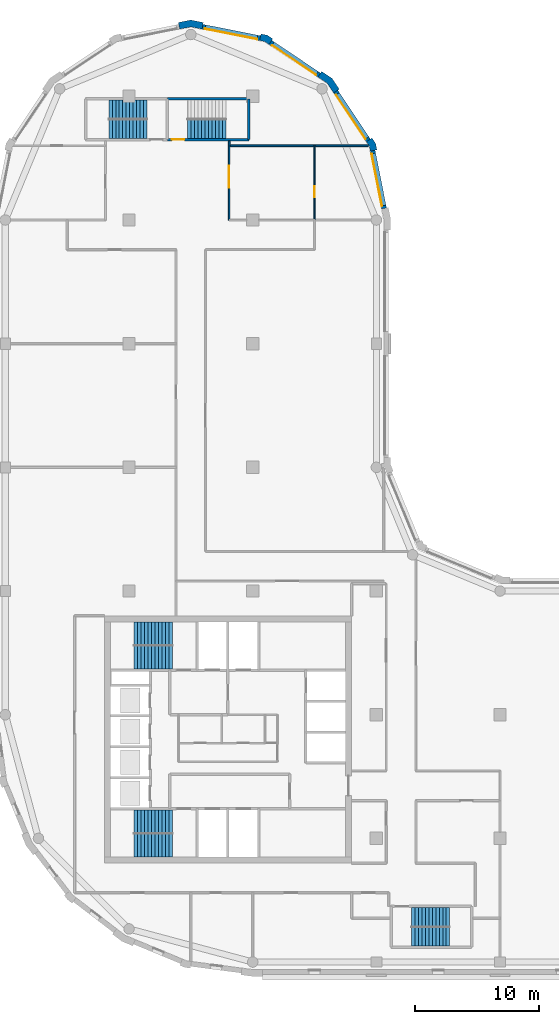
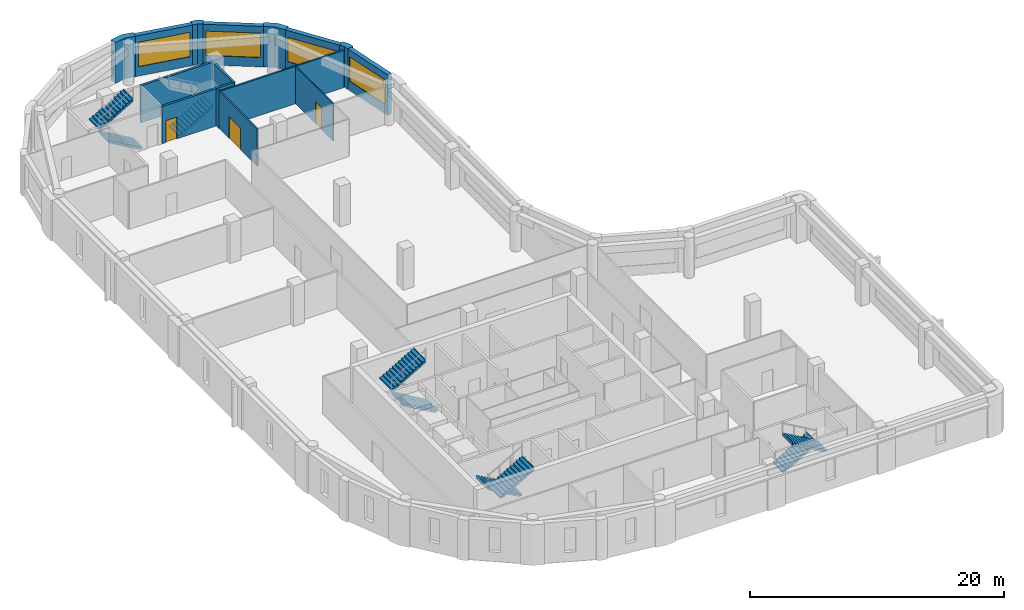
# One storey, part 6 of 9: 15 walls, 9 stair flights, 4 windows, 3 doors, 7 openings, 5 elements without a shape of their own.
"""IFC4 building model written with IfcOpenShell, lengths in metres."""

import ifcopenshell
import ifcopenshell.guid

model = None  # the IFC model being written
_history = None  # IfcOwnerHistory: only IFC2X3 demands one
_inside = {}  # id of a spatial element -> (the spatial element, [elements in it])
_under = {}  # id of a project, library or spatial element -> (it, [spatial elements below it])
_declared = {}  # id of a project -> (the project, [libraries it declares])
_typed = {}  # id of a type object -> (the type object, [elements of that type])
_made_of = {}  # id of a material, layer set ... -> (it, [elements and type objects made of it])


def new_model(schema):
    """Start an empty IFC model of exactly this schema.

    Asked for "IFC4X3", IfcOpenShell would pick the latest addendum, in which some entities
    have other attributes; the version numbers below select the first issue.
    IFC2X3 requires an IfcOwnerHistory on every rooted entity: one is made here for all.
    """
    global model, _history
    if schema == "IFC4X3":
        model = ifcopenshell.file(schema_version=(4, 3, 0, 0))
    else:
        model = ifcopenshell.file(schema=schema)
    _inside.clear()
    _under.clear()
    _declared.clear()
    _typed.clear()
    _made_of.clear()
    _history = None
    if model.schema == "IFC2X3":
        org = make("IfcOrganization", Name="unknown")
        user = make(
            "IfcPersonAndOrganization",
            ThePerson=make("IfcPerson", FamilyName="unknown"),
            TheOrganization=org,
        )
        app = make(
            "IfcApplication",
            ApplicationDeveloper=org,
            Version="unknown",
            ApplicationFullName="unknown",
            ApplicationIdentifier="unknown",
        )
        _history = make(
            "IfcOwnerHistory",
            OwningUser=user,
            OwningApplication=app,
            ChangeAction="ADDED",
            CreationDate=0,
        )
    return model


def make(cls, **values):
    """One entity of the class cls with the attributes given. An attribute that is None is left unset."""
    return model.create_entity(
        cls, **{name: value for name, value in values.items() if value is not None}
    )


def rooted(cls, **values):
    """An entity with a GlobalId (a new one), such as an element, a storey or a relation."""
    return make(cls, GlobalId=ifcopenshell.guid.new(), OwnerHistory=_history, **values)


def si_unit(unit_type, name, prefix=None):
    """IfcSIUnit, for example si_unit("LENGTHUNIT", "METRE", prefix="MILLI")."""
    return make("IfcSIUnit", UnitType=unit_type, Prefix=prefix, Name=name)


def assignment(units):
    """IfcUnitAssignment: the units of a project."""
    return None if units is None else make("IfcUnitAssignment", Units=units)


def point(xyz):
    """IfcCartesianPoint."""
    return None if xyz is None else make("IfcCartesianPoint", Coordinates=xyz)


def direction(xyz):
    """IfcDirection."""
    return None if xyz is None else make("IfcDirection", DirectionRatios=xyz)


def frame(location, z_axis=None, x_axis=None):
    """IfcAxis2Placement3D, a coordinate frame: its origin and axes. An axis left out is left unset."""
    return make(
        "IfcAxis2Placement3D",
        Location=point(location),
        Axis=direction(z_axis),
        RefDirection=direction(x_axis),
    )


def frame_2d(location, x_axis=None):
    """IfcAxis2Placement2D, a coordinate frame in the plane: its origin and x axis."""
    return make(
        "IfcAxis2Placement2D", Location=point(location), RefDirection=direction(x_axis)
    )


def origin():
    """The frame at (0, 0, 0) with its axes left unset."""
    return frame((0.0, 0.0, 0.0))


def place(relative_to, where):
    """IfcLocalPlacement: puts the frame where relative to a parent placement (None: the world)."""
    return make(
        "IfcLocalPlacement", PlacementRelTo=relative_to, RelativePlacement=where
    )


def context(
    kind, dimensions, precision=None, world=None, true_north=None, identifier=None
):
    """IfcGeometricRepresentationContext, for example the 3D "Model" context."""
    return make(
        "IfcGeometricRepresentationContext",
        ContextIdentifier=identifier,
        ContextType=kind,
        CoordinateSpaceDimension=dimensions,
        Precision=precision,
        WorldCoordinateSystem=world,
        TrueNorth=true_north,
    )


def subcontext(parent, identifier, kind, view, scale=None):
    """IfcGeometricRepresentationSubContext, for example "Body" below "Model"."""
    return make(
        "IfcGeometricRepresentationSubContext",
        ContextIdentifier=identifier,
        ContextType=kind,
        ParentContext=parent,
        TargetScale=scale,
        TargetView=view,
    )


def project(units=None, contexts=None):
    """IfcProject with its units and contexts."""
    return rooted(
        "IfcProject",
        Name="project",
        RepresentationContexts=contexts,
        UnitsInContext=assignment(units),
    )


def spatial(cls, under=None, at=None, **own):
    """A site, building, storey or space (cls), placed at a placement, below another one or the project."""
    s = rooted(cls, ObjectPlacement=at, **own)
    if under is not None:
        _under.setdefault(under.id(), (under, []))[1].append(s)
    return s


def polyline(points):
    """IfcPolyline through the points."""
    return make("IfcPolyline", Points=[point(p) for p in points])


def profile(cls, at=None, kind="AREA", **sizes):
    """A parametric profile (cls). Its sizes go by their IFC names, for example OverallWidth=200.0."""
    return make(cls, ProfileType=kind, Position=at, **sizes)


def rectangle(**sizes):
    """IfcRectangleProfileDef."""
    return profile("IfcRectangleProfileDef", **sizes)


def outline(outer, holes=None, kind="AREA"):
    """IfcArbitraryClosedProfileDef: a profile drawn as a closed curve; with holes, ...WithVoids."""
    if holes is None:
        return make("IfcArbitraryClosedProfileDef", ProfileType=kind, OuterCurve=outer)
    return make(
        "IfcArbitraryProfileDefWithVoids",
        ProfileType=kind,
        OuterCurve=outer,
        InnerCurves=holes,
    )


def extrude(swept, where, along, depth):
    """IfcExtrudedAreaSolid: the profile swept, set in the frame where, extruded along a direction by depth."""
    return make(
        "IfcExtrudedAreaSolid",
        SweptArea=swept,
        Position=where,
        ExtrudedDirection=direction(along),
        Depth=depth,
    )


def shape(context_of_items, identifier, shape_type, items):
    """IfcShapeRepresentation: the items that make up one representation, for example the "Body"."""
    return make(
        "IfcShapeRepresentation",
        ContextOfItems=context_of_items,
        RepresentationIdentifier=identifier,
        RepresentationType=shape_type,
        Items=items,
    )


def material(Name=None, Category=None):
    """IfcMaterial."""
    return make("IfcMaterial", Name=Name, Category=Category)


def layer(
    of_material, thickness, ventilated=None, Name=None, Category=None, Priority=None
):
    """IfcMaterialLayer: one layer of a wall or slab, of a material (None: an air gap)."""
    return make(
        "IfcMaterialLayer",
        Material=of_material,
        LayerThickness=thickness,
        IsVentilated=ventilated,
        Name=Name,
        Category=Category,
        Priority=Priority,
    )


def layer_set(layers, Name=None):
    """IfcMaterialLayerSet."""
    return make("IfcMaterialLayerSet", MaterialLayers=layers, LayerSetName=Name)


def made_of(thing, what):
    """Note that an element or type object is made of a material, layer set ...; save() writes the relation."""
    if what is not None:
        _made_of.setdefault(what.id(), (what, []))[1].append(thing)
    return thing


def type_object(cls, material=None, **own):
    """A type object (cls), such as IfcWallType, which elements share."""
    return made_of(rooted(cls, **own), material)


def element(
    cls,
    number,
    at=None,
    inside=None,
    cuts=None,
    type_object=None,
    material=None,
    context=None,
    identifier="Body",
    shape_type=None,
    held_by="IfcProductDefinitionShape",
    body=None,
    shapes=None,
    **own,
):
    """One element of the class cls, such as IfcWall. Its Tag is "e" and its number.

    at: its placement. inside: the storey or other place that contains it. cuts: it is an
    opening in that element (IfcRelVoidsElement). A single representation is given by context,
    identifier, shape_type and body (its items); several are given by shapes. held_by: the class
    of the entity that holds the representations. save() writes the other relations.
    """
    e = rooted(cls, Tag="e%d" % number, ObjectPlacement=at, **own)
    if body is not None:
        shapes = [shape(context, identifier, shape_type, body)]
    if shapes is not None:
        e.Representation = make(held_by, Representations=shapes)
    if inside is not None:
        _inside.setdefault(inside.id(), (inside, []))[1].append(e)
    if cuts is not None:
        rooted(
            "IfcRelVoidsElement", RelatingBuildingElement=cuts, RelatedOpeningElement=e
        )
    if type_object is not None:
        _typed.setdefault(type_object.id(), (type_object, []))[1].append(e)
    return made_of(e, material)


def fill(opening, filler):
    """IfcRelFillsElement: the door or window that sits in an opening."""
    return rooted(
        "IfcRelFillsElement",
        RelatingOpeningElement=opening,
        RelatedBuildingElement=filler,
    )


def aggregate(whole, parts):
    """IfcRelAggregates: a whole, such as a stair, and the parts it consists of."""
    return rooted("IfcRelAggregates", RelatingObject=whole, RelatedObjects=parts)


def save(model, path):
    """Write the relations noted so far, then the file.

    IfcRelAggregates (storeys below a building ...), IfcRelContainedInSpatialStructure (elements
    in a storey), IfcRelDefinesByType, IfcRelAssociatesMaterial and IfcRelDeclares: one each for
    every whole, place, type object, material and project.
    """
    for whole, parts in _under.values():
        aggregate(whole, parts)
    for where, things in _inside.values():
        rooted(
            "IfcRelContainedInSpatialStructure",
            RelatedElements=things,
            RelatingStructure=where,
        )
    for kind, things in _typed.values():
        rooted("IfcRelDefinesByType", RelatedObjects=things, RelatingType=kind)
    for what, things in _made_of.values():
        rooted("IfcRelAssociatesMaterial", RelatedObjects=things, RelatingMaterial=what)
    for by, libraries in _declared.values():
        rooted("IfcRelDeclares", RelatingContext=by, RelatedDefinitions=libraries)
    model.write(path)


model = new_model("IFC4")

# Units and contexts
model_context = context("Model", 3, precision=1e-05, world=origin(), true_north=direction((0.0, 1.0)))
body_context = subcontext(model_context, "Body", "Model", "MODEL_VIEW")
ifc_project = project(units=[si_unit("LENGTHUNIT", "METRE"), si_unit("AREAUNIT", "SQUARE_METRE"), si_unit("VOLUMEUNIT", "CUBIC_METRE"), si_unit("PLANEANGLEUNIT", "RADIAN"), si_unit("MASSUNIT", "GRAM", prefix="KILO")], contexts=[model_context])

# Site, building, storey
site_placement = place(None, origin())
site = spatial("IfcSite", under=ifc_project, at=site_placement, CompositionType="ELEMENT")
building_placement = place(site_placement, origin())
building = spatial("IfcBuilding", under=site, at=building_placement, Name="Qaws Garden Tower", CompositionType="ELEMENT")
storey_placement = place(building_placement, frame((0.0, 0.0, 255.300048828125)))
storey = spatial("IfcBuildingStorey", under=building, at=storey_placement, Name="L61", CompositionType="ELEMENT", Elevation=255.300048828125)

# Wall, opening, window
ifc_material_1 = material(Name="Clay facing brick masonry", Category="masonry")
ifc_layer_1 = layer(ifc_material_1, 0.39990234375)
ifc_layer_set_1 = layer_set([ifc_layer_1], Name="Clay facing brick masonry")
wall_type_1 = type_object("IfcWallType", Name="Brick infill wall 400", PredefinedType="SOLIDWALL", material=ifc_layer_set_1)
wall_1_placement = place(storey_placement, frame((30.628662109375, 60.940673828125, 0.0), z_axis=(0.0, 0.0, 1.0), x_axis=(-0.195098533057, 0.98078364709, 0.0)))
wall_1 = element("IfcWall", 1, at=wall_1_placement, inside=storey, type_object=wall_type_1, Name="E-L61-infill-11", PredefinedType="SOLIDWALL", context=body_context, shape_type="SweptSolid", body=[
    extrude(rectangle(XDim=4.752685546875, YDim=0.39990234375, at=frame_2d((2.37646484375, 0.0))), origin(), (0.0, 0.0, 1.0), 3.89990234375),
])
opening_1_placement = place(wall_1_placement, frame((0.226318359375, 0.0, 0.89990234375)))
opening_1 = element("IfcOpeningElement", 2, at=opening_1_placement, cuts=wall_1, Name="Opening W06", PredefinedType="OPENING", context=body_context, shape_type="SweptSolid", body=[
    extrude(rectangle(XDim=4.300048828125, YDim=2.35009765625, at=frame_2d((2.14990234375, 1.175048828125))), frame((0.0, 0.2099609375, 0.0), z_axis=(0.0, -1.0, 0.0), x_axis=(1.0, 0.0, 0.0)), (0.0, 0.0, 1.0), 0.419921875),
])
ifc_material_2 = material(Name="Aluminium framed window, clear glazing", Category="aluminium")
window_type = type_object("IfcWindowType", Name="Ribbon window 4300 x 2350", PartitioningType="DOUBLE_PANEL_VERTICAL", PredefinedType="WINDOW", material=ifc_material_2)
window_1_placement = place(opening_1_placement, origin())
window_1 = element("IfcWindow", 3, at=window_1_placement, inside=storey, type_object=window_type, Name="E-L61-window-11-0", OverallHeight=2.35009765625, OverallWidth=4.300048828125, PartitioningType="SINGLE_PANEL", PredefinedType="WINDOW", context=body_context, shape_type="SweptSolid", body=[
    extrude(rectangle(XDim=4.300048828125, YDim=2.35009765625, at=frame_2d((2.14990234375, 1.175048828125))), frame((0.0, 0.159912109375, 0.0), z_axis=(0.0, -1.0, 0.0), x_axis=(1.0, 0.0, 0.0)), (0.0, 0.0, 1.0), 0.06005859375),
])
fill(opening_1, window_1)

wall_2_placement = place(storey_placement, frame((29.356689453125, 66.43408203125, 0.0), z_axis=(0.0, 0.0, 1.0), x_axis=(-0.555541552266, 0.831488775454, 0.0)))
wall_2 = element("IfcWall", 4, at=wall_2_placement, inside=storey, type_object=wall_type_1, Name="E-L61-infill-12", PredefinedType="SOLIDWALL", context=body_context, shape_type="SweptSolid", body=[
    extrude(rectangle(XDim=4.752685546875, YDim=0.39990234375, at=frame_2d((2.37646484375, 0.0))), origin(), (0.0, 0.0, 1.0), 3.89990234375),
])
opening_2_placement = place(wall_2_placement, frame((0.226318359375, 0.0, 0.89990234375)))
opening_2 = element("IfcOpeningElement", 5, at=opening_2_placement, cuts=wall_2, Name="Opening W06", PredefinedType="OPENING", context=body_context, shape_type="SweptSolid", body=[
    extrude(rectangle(XDim=4.300048828125, YDim=2.35009765625, at=frame_2d((2.14990234375, 1.175048828125))), frame((0.0, 0.2099609375, 0.0), z_axis=(0.0, -1.0, 0.0), x_axis=(1.0, 0.0, 0.0)), (0.0, 0.0, 1.0), 0.419921875),
])
window_2_placement = place(opening_2_placement, origin())
window_2 = element("IfcWindow", 6, at=window_2_placement, inside=storey, type_object=window_type, Name="E-L61-window-12-0", OverallHeight=2.35009765625, OverallWidth=4.300048828125, PartitioningType="SINGLE_PANEL", PredefinedType="WINDOW", context=body_context, shape_type="SweptSolid", body=[
    extrude(rectangle(XDim=4.300048828125, YDim=2.35009765625, at=frame_2d((2.14990234375, 1.175048828125))), frame((0.0, 0.159912109375, 0.0), z_axis=(0.0, -1.0, 0.0), x_axis=(1.0, 0.0, 0.0)), (0.0, 0.0, 1.0), 0.06005859375),
])
fill(opening_2, window_2)

wall_3_placement = place(storey_placement, frame((25.385986328125, 71.71630859375, 0.0), z_axis=(0.0, 0.0, 1.0), x_axis=(-0.831488775454, 0.555541552266, 0.0)))
wall_3 = element("IfcWall", 7, at=wall_3_placement, inside=storey, type_object=wall_type_1, Name="E-L61-infill-13", PredefinedType="SOLIDWALL", context=body_context, shape_type="SweptSolid", body=[
    extrude(rectangle(XDim=4.752685546875, YDim=0.39990234375, at=frame_2d((2.37646484375, 0.0))), origin(), (0.0, 0.0, 1.0), 3.89990234375),
])
opening_3_placement = place(wall_3_placement, frame((0.226318359375, 0.0, 0.89990234375)))
opening_3 = element("IfcOpeningElement", 8, at=opening_3_placement, cuts=wall_3, Name="Opening W06", PredefinedType="OPENING", context=body_context, shape_type="SweptSolid", body=[
    extrude(rectangle(XDim=4.300048828125, YDim=2.35009765625, at=frame_2d((2.14990234375, 1.175048828125))), frame((0.0, 0.2099609375, 0.0), z_axis=(0.0, -1.0, 0.0), x_axis=(1.0, 0.0, 0.0)), (0.0, 0.0, 1.0), 0.419921875),
])
window_3_placement = place(opening_3_placement, origin())
window_3 = element("IfcWindow", 9, at=window_3_placement, inside=storey, type_object=window_type, Name="E-L61-window-13-0", OverallHeight=2.35009765625, OverallWidth=4.300048828125, PartitioningType="SINGLE_PANEL", PredefinedType="WINDOW", context=body_context, shape_type="SweptSolid", body=[
    extrude(rectangle(XDim=4.300048828125, YDim=2.35009765625, at=frame_2d((2.14990234375, 1.175048828125))), frame((0.0, 0.159912109375, 0.0), z_axis=(0.0, -1.0, 0.0), x_axis=(1.0, 0.0, 0.0)), (0.0, 0.0, 1.0), 0.06005859375),
])
fill(opening_3, window_3)

wall_4_placement = place(storey_placement, frame((20.60205078125, 74.701416015625, 0.0), z_axis=(0.0, 0.0, 1.0), x_axis=(-0.98078364709, 0.195098533057, 0.0)))
wall_4 = element("IfcWall", 10, at=wall_4_placement, inside=storey, type_object=wall_type_1, Name="E-L61-infill-14", PredefinedType="SOLIDWALL", context=body_context, shape_type="SweptSolid", body=[
    extrude(rectangle(XDim=4.752685546875, YDim=0.39990234375, at=frame_2d((2.37646484375, 0.0))), origin(), (0.0, 0.0, 1.0), 3.89990234375),
])
opening_4_placement = place(wall_4_placement, frame((0.226318359375, 0.0, 0.89990234375)))
opening_4 = element("IfcOpeningElement", 11, at=opening_4_placement, cuts=wall_4, Name="Opening W06", PredefinedType="OPENING", context=body_context, shape_type="SweptSolid", body=[
    extrude(rectangle(XDim=4.300048828125, YDim=2.35009765625, at=frame_2d((2.14990234375, 1.175048828125))), frame((0.0, 0.2099609375, 0.0), z_axis=(0.0, -1.0, 0.0), x_axis=(1.0, 0.0, 0.0)), (0.0, 0.0, 1.0), 0.419921875),
])
window_4_placement = place(opening_4_placement, origin())
window_4 = element("IfcWindow", 12, at=window_4_placement, inside=storey, type_object=window_type, Name="E-L61-window-14-0", OverallHeight=2.35009765625, OverallWidth=4.300048828125, PartitioningType="SINGLE_PANEL", PredefinedType="WINDOW", context=body_context, shape_type="SweptSolid", body=[
    extrude(rectangle(XDim=4.300048828125, YDim=2.35009765625, at=frame_2d((2.14990234375, 1.175048828125))), frame((0.0, 0.159912109375, 0.0), z_axis=(0.0, -1.0, 0.0), x_axis=(1.0, 0.0, 0.0)), (0.0, 0.0, 1.0), 0.06005859375),
])
fill(opening_4, window_4)

# Walls
ifc_material_3 = material(Name="Clay facing brick masonry", Category="masonry")
ifc_layer_2 = layer(ifc_material_3, 0.550048828125)
ifc_layer_set_2 = layer_set([ifc_layer_2], Name="Clay facing brick masonry")
wall_type_2 = type_object("IfcWallType", Name="Brick kink pier 550 x 600", PredefinedType="SOLIDWALL", material=ifc_layer_set_2)
placement = place(storey_placement, origin())
element("IfcWall", 13, at=placement, inside=storey, type_object=wall_type_2, Name="E-L61-pier-12", PredefinedType="SOLIDWALL", context=body_context, shape_type="SweptSolid", body=[
    extrude(outline(polyline([(29.8974609375, 65.64111328125), (30.044677734375, 65.67041015625), (29.94140625, 66.18896484375), (29.647705078125, 66.628662109375), (29.52294921875, 66.545166015625), (29.1904296875, 66.322998046875), (29.42333984375, 65.974365234375), (29.505126953125, 65.56298828125), (29.8974609375, 65.64111328125)])), origin(), (0.0, 0.0, 1.0), 3.89990234375),
])
element("IfcWall", 14, at=placement, inside=storey, type_object=wall_type_2, Name="E-L61-pier-14", PredefinedType="SOLIDWALL", context=body_context, shape_type="SweptSolid", body=[
    extrude(outline(polyline([(21.545166015625, 74.52294921875), (21.628662109375, 74.647705078125), (21.18896484375, 74.94140625), (20.67041015625, 75.044677734375), (20.64111328125, 74.8974609375), (20.56298828125, 74.505126953125), (20.974365234375, 74.42333984375), (21.322998046875, 74.1904296875), (21.545166015625, 74.52294921875)])), origin(), (0.0, 0.0, 1.0), 3.89990234375),
])
ifc_material_4 = material(Name="Clay facing brick masonry", Category="masonry")
ifc_layer_3 = layer(ifc_material_4, 0.550048828125)
ifc_layer_set_3 = layer_set([ifc_layer_3], Name="Clay facing brick masonry")
wall_type_3 = type_object("IfcWallType", Name="Brick pier 550 x 1600", PredefinedType="SOLIDWALL", material=ifc_layer_set_3)
element("IfcWall", 15, at=placement, inside=storey, type_object=wall_type_3, Name="E-L61-pier-13", PredefinedType="SOLIDWALL", context=body_context, shape_type="SweptSolid", body=[
    extrude(outline(polyline([(26.882568359375, 70.4970703125), (27.00732421875, 70.580322265625), (26.435791015625, 71.435791015625), (25.580322265625, 72.00732421875), (25.4970703125, 71.882568359375), (25.274658203125, 71.550048828125), (26.0390625, 71.0390625), (26.550048828125, 70.274658203125), (26.882568359375, 70.4970703125)])), origin(), (0.0, 0.0, 1.0), 3.89990234375),
])
element("IfcWall", 16, at=placement, inside=storey, type_object=wall_type_3, Name="E-L61-pier-15", PredefinedType="SOLIDWALL", context=body_context, shape_type="SweptSolid", body=[
    extrude(outline(polyline([(15.979736328125, 75.82470703125), (16.009033203125, 75.971923828125), (15.0, 76.172607421875), (13.990966796875, 75.971923828125), (14.020263671875, 75.82470703125), (14.098388671875, 75.432373046875), (15.0, 75.61181640625), (15.901611328125, 75.432373046875), (15.979736328125, 75.82470703125)])), origin(), (0.0, 0.0, 1.0), 3.89990234375),
])

# Wall, opening, door
ifc_material_5 = material(Name="Concrete C60", Category="concrete")
ifc_layer_4 = layer(ifc_material_5, 0.199951171875)
ifc_layer_set_4 = layer_set([ifc_layer_4], Name="Concrete C60")
wall_type_4 = type_object("IfcWallType", Name="Core shaft wall 200 C60", PredefinedType="SHEAR", material=ifc_layer_set_4)
wall_9_placement = place(storey_placement, frame((13.10009765625, 66.5, 0.0), z_axis=(0.0, 0.0, 1.0), x_axis=(1.0, 0.0, 0.0)))
wall_9 = element("IfcWall", 17, at=wall_9_placement, inside=storey, type_object=wall_type_4, Name="Shaft wall", PredefinedType="SHEAR", context=body_context, shape_type="SweptSolid", body=[
    extrude(rectangle(XDim=6.599853515625, YDim=0.199951171875, at=frame_2d((3.2998046875, 0.0))), origin(), (0.0, 0.0, 1.0), 3.579833984375),
])
opening_5_placement = place(wall_9_placement, frame((0.375, 0.0, 0.0)))
opening_5 = element("IfcOpeningElement", 18, at=opening_5_placement, cuts=wall_9, Name="Opening SD14", PredefinedType="OPENING", context=body_context, shape_type="SweptSolid", body=[
    extrude(rectangle(XDim=1.0, YDim=2.10009765625, at=frame_2d((0.5, 1.050048828125))), frame((0.0, 0.10986328125, 0.0), z_axis=(0.0, -1.0, 0.0), x_axis=(1.0, 0.0, 0.0)), (0.0, 0.0, 1.0), 0.219970703125),
])
ifc_material_6 = material(Name="Steel S235", Category="steel")
door_type_1 = type_object("IfcDoorType", Name="Stair door 1000x2100", OperationType="SINGLE_SWING_RIGHT", PredefinedType="DOOR", material=ifc_material_6)
door_1_placement = place(opening_5_placement, origin())
door_1 = element("IfcDoor", 19, at=door_1_placement, inside=storey, type_object=door_type_1, Name="Stair 7 door", OperationType="SINGLE_SWING_LEFT", OverallHeight=2.10009765625, OverallWidth=1.0, PredefinedType="DOOR", context=body_context, shape_type="SweptSolid", body=[
    extrude(rectangle(XDim=1.0, YDim=2.10009765625, at=frame_2d((0.5, 1.050048828125))), frame((0.0, 0.02490234375, 0.0), z_axis=(0.0, -1.0, 0.0), x_axis=(1.0, 0.0, 0.0)), (0.0, 0.0, 1.0), 0.050048828125),
])
fill(opening_5, door_1)

# Walls
wall_10_placement = place(storey_placement, frame((13.10009765625, 69.800048828125, 0.0), z_axis=(0.0, 0.0, 1.0), x_axis=(1.0, 0.0, 0.0)))
element("IfcWall", 20, at=wall_10_placement, inside=storey, type_object=wall_type_4, Name="Shaft wall", PredefinedType="SHEAR", context=body_context, shape_type="SweptSolid", body=[
    extrude(rectangle(XDim=6.599853515625, YDim=0.199951171875, at=frame_2d((3.2998046875, 0.0))), origin(), (0.0, 0.0, 1.0), 3.579833984375),
])
wall_11_placement = place(storey_placement, frame((19.699951171875, 66.5, 0.0), z_axis=(0.0, 0.0, 1.0), x_axis=(0.0, 1.0, 0.0)))
element("IfcWall", 21, at=wall_11_placement, inside=storey, type_object=wall_type_4, Name="Shaft wall", PredefinedType="SHEAR", context=body_context, shape_type="SweptSolid", body=[
    extrude(rectangle(XDim=3.300048828125, YDim=0.199951171875, at=frame_2d((1.64990234375, 0.0))), origin(), (0.0, 0.0, 1.0), 3.579833984375),
])

# Wall, opening, door
ifc_material_7 = material(Name="Glass and aluminium framing", Category="aluminium")
ifc_layer_5 = layer(ifc_material_7, 0.1201171875)
ifc_layer_set_5 = layer_set([ifc_layer_5], Name="Glass and aluminium framing")
wall_type_5 = type_object("IfcWallType", Name="GLAZED PARTITION 120 EI 30", PredefinedType="PARTITIONING", material=ifc_layer_set_5)
wall_12_placement = place(storey_placement, frame((18.10009765625, 60.0, 0.0), z_axis=(0.0, 0.0, 1.0), x_axis=(0.0, 1.0, 0.0)))
wall_12 = element("IfcWall", 22, at=wall_12_placement, inside=storey, type_object=wall_type_5, Name="O-L61-wall-037", PredefinedType="PARTITIONING", context=body_context, shape_type="SweptSolid", body=[
    extrude(rectangle(XDim=6.0, YDim=0.1201171875, at=frame_2d((3.0, 0.0))), origin(), (0.0, 0.0, 1.0), 3.579833984375),
])
opening_6_placement = place(wall_12_placement, frame((2.60009765625, 0.0, 0.0)))
opening_6 = element("IfcOpeningElement", 23, at=opening_6_placement, cuts=wall_12, Name="Opening C106", PredefinedType="OPENING", context=body_context, shape_type="SweptSolid", body=[
    extrude(rectangle(XDim=1.800048828125, YDim=2.10009765625, at=frame_2d((0.89990234375, 1.050048828125))), frame((0.0, 0.070068359375, 0.0), z_axis=(0.0, -1.0, 0.0), x_axis=(1.0, 0.0, 0.0)), (0.0, 0.0, 1.0), 0.14013671875),
])
ifc_material_8 = material(Name="Timber door leaf", Category="wood")
door_type_2 = type_object("IfcDoorType", Name="DOUBLE DOOR 1800 X 2100", OperationType="DOUBLE_DOOR_SINGLE_SWING", PredefinedType="DOOR", material=ifc_material_8)
door_2_placement = place(opening_6_placement, frame((1.800048828125, 0.0, 0.0), z_axis=(0.0, 0.0, 1.0), x_axis=(-1.0, 0.0, 0.0)))
door_2 = element("IfcDoor", 24, at=door_2_placement, inside=storey, type_object=door_type_2, Name="O-L61-door-006", OperationType="DOUBLE_DOOR_SINGLE_SWING", OverallHeight=2.10009765625, OverallWidth=1.800048828125, PredefinedType="DOOR", context=body_context, shape_type="SweptSolid", body=[
    extrude(rectangle(XDim=1.800048828125, YDim=2.10009765625, at=frame_2d((0.89990234375, 1.050048828125))), frame((0.0, 0.02490234375, 0.0), z_axis=(0.0, -1.0, 0.0), x_axis=(1.0, 0.0, 0.0)), (0.0, 0.0, 1.0), 0.050048828125),
])
fill(opening_6, door_2)

ifc_material_9 = material(Name="Gypsum board partition")
ifc_layer_6 = layer(ifc_material_9, 0.10009765625)
ifc_layer_set_6 = layer_set([ifc_layer_6], Name="Gypsum board partition")
wall_type_6 = type_object("IfcWallType", Name="PARTITION 100", PredefinedType="PARTITIONING", material=ifc_layer_set_6)
wall_13_placement = place(storey_placement, frame((25.0, 60.0, 0.0), z_axis=(0.0, 0.0, 1.0), x_axis=(0.0, 1.0, 0.0)))
wall_13 = element("IfcWall", 25, at=wall_13_placement, inside=storey, type_object=wall_type_6, Name="O-L61-wall-001", PredefinedType="PARTITIONING", context=body_context, shape_type="SweptSolid", body=[
    extrude(rectangle(XDim=6.0, YDim=0.10009765625, at=frame_2d((3.0, 0.0))), origin(), (0.0, 0.0, 1.0), 3.579833984375),
])
opening_7_placement = place(wall_13_placement, frame((1.85009765625, 0.0, 0.0)))
opening_7 = element("IfcOpeningElement", 26, at=opening_7_placement, cuts=wall_13, Name="Opening C116", PredefinedType="OPENING", context=body_context, shape_type="SweptSolid", body=[
    extrude(rectangle(XDim=0.89990234375, YDim=2.10009765625, at=frame_2d((0.449951171875, 1.050048828125))), frame((0.0, 0.06005859375, 0.0), z_axis=(0.0, -1.0, 0.0), x_axis=(1.0, 0.0, 0.0)), (0.0, 0.0, 1.0), 0.1201171875),
])
ifc_material_10 = material(Name="Timber door leaf", Category="wood")
door_type_3 = type_object("IfcDoorType", Name="OFFICE DOOR 900 X 2100", OperationType="SINGLE_SWING_LEFT", PredefinedType="DOOR", material=ifc_material_10)
door_3_placement = place(opening_7_placement, frame((0.89990234375, 0.0, 0.0), z_axis=(0.0, 0.0, 1.0), x_axis=(-1.0, 0.0, 0.0)))
door_3 = element("IfcDoor", 27, at=door_3_placement, inside=storey, type_object=door_type_3, Name="O-L61-door-016", OperationType="SINGLE_SWING_RIGHT", OverallHeight=2.10009765625, OverallWidth=0.89990234375, PredefinedType="DOOR", context=body_context, shape_type="SweptSolid", body=[
    extrude(rectangle(XDim=0.89990234375, YDim=2.10009765625, at=frame_2d((0.449951171875, 1.050048828125))), frame((0.0, 0.02490234375, 0.0), z_axis=(0.0, -1.0, 0.0), x_axis=(1.0, 0.0, 0.0)), (0.0, 0.0, 1.0), 0.050048828125),
])
fill(opening_7, door_3)

# Walls
ifc_material_11 = material(Name="Gypsum board partition")
ifc_layer_7 = layer(ifc_material_11, 0.14990234375)
ifc_layer_set_7 = layer_set([ifc_layer_7], Name="Gypsum board partition")
wall_type_7 = type_object("IfcWallType", Name="PARTITION 150 EI 60", PredefinedType="PARTITIONING", material=ifc_layer_set_7)
wall_14_placement = place(storey_placement, frame((18.10009765625, 66.0, 0.0), z_axis=(0.0, 0.0, 1.0), x_axis=(0.0, 1.0, 0.0)))
element("IfcWall", 28, at=wall_14_placement, inside=storey, type_object=wall_type_7, Name="O-L61-wall-008", PredefinedType="PARTITIONING", context=body_context, shape_type="SweptSolid", body=[
    extrude(rectangle(XDim=0.39990234375, YDim=0.14990234375, at=frame_2d((0.199951171875, 0.0))), origin(), (0.0, 0.0, 1.0), 3.579833984375),
])
wall_15_placement = place(storey_placement, frame((18.10009765625, 66.0, 0.0), z_axis=(0.0, 0.0, 1.0), x_axis=(1.0, 0.0, 0.0)))
element("IfcWall", 29, at=wall_15_placement, inside=storey, type_object=wall_type_7, Name="O-L61-wall-035", PredefinedType="PARTITIONING", context=body_context, shape_type="SweptSolid", body=[
    extrude(rectangle(XDim=11.256103515625, YDim=0.14990234375, at=frame_2d((5.6279296875, 0.0))), origin(), (0.0, 0.0, 1.0), 3.579833984375),
])

# Stair, stair flights
ifc_material_12 = material(Name="Concrete C40", Category="concrete")
stair_type_1 = type_object("IfcStairType", Name="Exit stair 1350", PredefinedType="HALF_TURN_STAIR", material=ifc_material_12)
stair_1 = element("IfcStair", 30, at=placement, inside=storey, type_object=stair_type_1, Name="Stair 5", PredefinedType="HALF_TURN_STAIR")
ifc_material_13 = material(Name="Concrete C40", Category="concrete")
stair_flight_type_1 = type_object("IfcStairFlightType", Name="Stair flight 1350", PredefinedType="STRAIGHT", material=ifc_material_13)
stair_flight_1_placement = place(storey_placement, frame((32.85009765625, 3.625, 0.0), z_axis=(0.0, 0.0, 1.0), x_axis=(1.0, 0.0, 0.0)))
stair_flight_1 = element("IfcStairFlight", 31, at=stair_flight_1_placement, type_object=stair_flight_type_1, Name="ST5 flight 1", NumberOfRisers=12, NumberOfTreads=11, PredefinedType="STRAIGHT", RiserHeight=0.1625, TreadLength=0.28, context=body_context, shape_type="SweptSolid", body=[
    extrude(outline(polyline([(-0.0029296875, 0.0), (-0.0029296875, 0.16259765625), (0.0, 0.16259765625), (0.280029296875, 0.16259765625), (0.280029296875, 0.324951171875), (0.56005859375, 0.324951171875), (0.56005859375, 0.487548828125), (0.840087890625, 0.487548828125), (0.840087890625, 0.64990234375), (1.1201171875, 0.64990234375), (1.1201171875, 0.8125), (1.39990234375, 0.8125), (1.39990234375, 0.97509765625), (1.679931640625, 0.97509765625), (1.679931640625, 1.137451171875), (1.9599609375, 1.137451171875), (1.9599609375, 1.300048828125), (2.239990234375, 1.300048828125), (2.239990234375, 1.46240234375), (2.52001953125, 1.46240234375), (2.52001953125, 1.625), (2.800048828125, 1.625), (2.800048828125, 1.78759765625), (3.080078125, 1.78759765625), (3.080078125, 1.949951171875), (3.0830078125, 1.949951171875), (3.0830078125, 1.6142578125), (3.080078125, 1.6142578125), (0.298583984375, 0.0), (-0.0029296875, 0.0)])), frame((0.0, 0.77490234375, 0.0), z_axis=(0.0, -1.0, 0.0), x_axis=(1.0, 0.0, 0.0)), (0.0, 0.0, 1.0), 1.550048828125),
])
stair_flight_2_placement = place(storey_placement, frame((35.929931640625, 2.074951171875, 1.949951171875), z_axis=(0.0, 0.0, 1.0), x_axis=(-1.0, 0.0, 0.0)))
stair_flight_2 = element("IfcStairFlight", 32, at=stair_flight_2_placement, type_object=stair_flight_type_1, Name="ST5 flight 2", NumberOfRisers=12, NumberOfTreads=11, PredefinedType="STRAIGHT", RiserHeight=0.1625, TreadLength=0.28, context=body_context, shape_type="SweptSolid", body=[
    extrude(outline(polyline([(-0.0029296875, 0.0), (-0.0029296875, 0.16259765625), (0.0, 0.16259765625), (0.280029296875, 0.16259765625), (0.280029296875, 0.324951171875), (0.56005859375, 0.324951171875), (0.56005859375, 0.487548828125), (0.840087890625, 0.487548828125), (0.840087890625, 0.64990234375), (1.1201171875, 0.64990234375), (1.1201171875, 0.8125), (1.39990234375, 0.8125), (1.39990234375, 0.97509765625), (1.679931640625, 0.97509765625), (1.679931640625, 1.137451171875), (1.9599609375, 1.137451171875), (1.9599609375, 1.300048828125), (2.239990234375, 1.300048828125), (2.239990234375, 1.46240234375), (2.52001953125, 1.46240234375), (2.52001953125, 1.625), (2.800048828125, 1.625), (2.800048828125, 1.78759765625), (3.080078125, 1.78759765625), (3.080078125, 1.949951171875), (3.0830078125, 1.949951171875), (3.0830078125, 1.6142578125), (3.080078125, 1.6142578125), (0.298583984375, 0.0), (-0.0029296875, 0.0)])), frame((0.0, 0.77490234375, 0.0), z_axis=(0.0, -1.0, 0.0), x_axis=(1.0, 0.0, 0.0)), (0.0, 0.0, 1.0), 1.550048828125),
])
aggregate(stair_1, [stair_flight_1, stair_flight_2])

stair_2 = element("IfcStair", 33, at=placement, inside=storey, type_object=stair_type_1, Name="Stair 6", PredefinedType="HALF_TURN_STAIR")
stair_flight_3_placement = place(storey_placement, frame((11.449951171875, 67.375, 0.0), z_axis=(0.0, 0.0, 1.0), x_axis=(-1.0, 0.0, 0.0)))
stair_flight_3 = element("IfcStairFlight", 34, at=stair_flight_3_placement, type_object=stair_flight_type_1, Name="ST6 flight 1", NumberOfRisers=12, NumberOfTreads=11, PredefinedType="STRAIGHT", RiserHeight=0.1625, TreadLength=0.28, context=body_context, shape_type="SweptSolid", body=[
    extrude(outline(polyline([(-0.0029296875, 0.0), (-0.0029296875, 0.16259765625), (0.0, 0.16259765625), (0.280029296875, 0.16259765625), (0.280029296875, 0.324951171875), (0.56005859375, 0.324951171875), (0.56005859375, 0.487548828125), (0.840087890625, 0.487548828125), (0.840087890625, 0.64990234375), (1.1201171875, 0.64990234375), (1.1201171875, 0.8125), (1.39990234375, 0.8125), (1.39990234375, 0.97509765625), (1.679931640625, 0.97509765625), (1.679931640625, 1.137451171875), (1.9599609375, 1.137451171875), (1.9599609375, 1.300048828125), (2.239990234375, 1.300048828125), (2.239990234375, 1.46240234375), (2.52001953125, 1.46240234375), (2.52001953125, 1.625), (2.800048828125, 1.625), (2.800048828125, 1.78759765625), (3.080078125, 1.78759765625), (3.080078125, 1.949951171875), (3.0830078125, 1.949951171875), (3.0830078125, 1.6142578125), (3.080078125, 1.6142578125), (0.298583984375, 0.0), (-0.0029296875, 0.0)])), frame((0.0, 0.77490234375, 0.0), z_axis=(0.0, -1.0, 0.0), x_axis=(1.0, 0.0, 0.0)), (0.0, 0.0, 1.0), 1.550048828125),
])
stair_flight_4_placement = place(storey_placement, frame((8.3701171875, 68.925048828125, 1.949951171875), z_axis=(0.0, 0.0, 1.0), x_axis=(1.0, 0.0, 0.0)))
stair_flight_4 = element("IfcStairFlight", 35, at=stair_flight_4_placement, type_object=stair_flight_type_1, Name="ST6 flight 2", NumberOfRisers=12, NumberOfTreads=11, PredefinedType="STRAIGHT", RiserHeight=0.1625, TreadLength=0.28, context=body_context, shape_type="SweptSolid", body=[
    extrude(outline(polyline([(-0.0029296875, 0.0), (-0.0029296875, 0.16259765625), (0.0, 0.16259765625), (0.280029296875, 0.16259765625), (0.280029296875, 0.324951171875), (0.56005859375, 0.324951171875), (0.56005859375, 0.487548828125), (0.840087890625, 0.487548828125), (0.840087890625, 0.64990234375), (1.1201171875, 0.64990234375), (1.1201171875, 0.8125), (1.39990234375, 0.8125), (1.39990234375, 0.97509765625), (1.679931640625, 0.97509765625), (1.679931640625, 1.137451171875), (1.9599609375, 1.137451171875), (1.9599609375, 1.300048828125), (2.239990234375, 1.300048828125), (2.239990234375, 1.46240234375), (2.52001953125, 1.46240234375), (2.52001953125, 1.625), (2.800048828125, 1.625), (2.800048828125, 1.78759765625), (3.080078125, 1.78759765625), (3.080078125, 1.949951171875), (3.0830078125, 1.949951171875), (3.0830078125, 1.6142578125), (3.080078125, 1.6142578125), (0.298583984375, 0.0), (-0.0029296875, 0.0)])), frame((0.0, 0.77490234375, 0.0), z_axis=(0.0, -1.0, 0.0), x_axis=(1.0, 0.0, 0.0)), (0.0, 0.0, 1.0), 1.550048828125),
])
aggregate(stair_2, [stair_flight_3, stair_flight_4])

# Stair, stair flight
stair_3 = element("IfcStair", 36, at=placement, inside=storey, type_object=stair_type_1, Name="Stair 7", PredefinedType="HALF_TURN_STAIR")
stair_flight_5_placement = place(storey_placement, frame((14.75, 67.375, 0.0), z_axis=(0.0, 0.0, 1.0), x_axis=(1.0, 0.0, 0.0)))
stair_flight_5 = element("IfcStairFlight", 37, at=stair_flight_5_placement, type_object=stair_flight_type_1, Name="ST7 flight 1", NumberOfRisers=12, NumberOfTreads=11, PredefinedType="STRAIGHT", RiserHeight=0.1625, TreadLength=0.28, context=body_context, shape_type="SweptSolid", body=[
    extrude(outline(polyline([(-0.0029296875, 0.0), (-0.0029296875, 0.16259765625), (0.0, 0.16259765625), (0.280029296875, 0.16259765625), (0.280029296875, 0.324951171875), (0.56005859375, 0.324951171875), (0.56005859375, 0.487548828125), (0.840087890625, 0.487548828125), (0.840087890625, 0.64990234375), (1.1201171875, 0.64990234375), (1.1201171875, 0.8125), (1.39990234375, 0.8125), (1.39990234375, 0.97509765625), (1.679931640625, 0.97509765625), (1.679931640625, 1.137451171875), (1.9599609375, 1.137451171875), (1.9599609375, 1.300048828125), (2.239990234375, 1.300048828125), (2.239990234375, 1.46240234375), (2.52001953125, 1.46240234375), (2.52001953125, 1.625), (2.800048828125, 1.625), (2.800048828125, 1.78759765625), (3.080078125, 1.78759765625), (3.080078125, 1.949951171875), (3.0830078125, 1.949951171875), (3.0830078125, 1.6142578125), (3.080078125, 1.6142578125), (0.298583984375, 0.0), (-0.0029296875, 0.0)])), frame((0.0, 0.77490234375, 0.0), z_axis=(0.0, -1.0, 0.0), x_axis=(1.0, 0.0, 0.0)), (0.0, 0.0, 1.0), 1.550048828125),
])
aggregate(stair_3, [stair_flight_5])

# Stair, stair flights
ifc_material_14 = material(Name="Concrete C40", Category="concrete")
stair_type_2 = type_object("IfcStairType", Name="Exit stair 1500", PredefinedType="HALF_TURN_STAIR", material=ifc_material_14)
stair_4 = element("IfcStair", 38, at=placement, inside=storey, type_object=stair_type_2, Name="Stair 1", PredefinedType="HALF_TURN_STAIR")
ifc_material_15 = material(Name="Concrete C40", Category="concrete")
stair_flight_type_2 = type_object("IfcStairFlightType", Name="Stair flight 1500", PredefinedType="STRAIGHT", material=ifc_material_15)
stair_flight_6_placement = place(storey_placement, frame((13.5, 11.35009765625, 0.0), z_axis=(0.0, 0.0, 1.0), x_axis=(-1.0, 0.0, 0.0)))
stair_flight_6 = element("IfcStairFlight", 39, at=stair_flight_6_placement, type_object=stair_flight_type_2, Name="ST1 flight 1", NumberOfRisers=12, NumberOfTreads=11, PredefinedType="STRAIGHT", RiserHeight=0.1625, TreadLength=0.28, context=body_context, shape_type="SweptSolid", body=[
    extrude(outline(polyline([(-0.0029296875, 0.0), (-0.0029296875, 0.16259765625), (0.0, 0.16259765625), (0.280029296875, 0.16259765625), (0.280029296875, 0.324951171875), (0.56005859375, 0.324951171875), (0.56005859375, 0.487548828125), (0.840087890625, 0.487548828125), (0.840087890625, 0.64990234375), (1.1201171875, 0.64990234375), (1.1201171875, 0.8125), (1.39990234375, 0.8125), (1.39990234375, 0.97509765625), (1.679931640625, 0.97509765625), (1.679931640625, 1.137451171875), (1.9599609375, 1.137451171875), (1.9599609375, 1.300048828125), (2.239990234375, 1.300048828125), (2.239990234375, 1.46240234375), (2.52001953125, 1.46240234375), (2.52001953125, 1.625), (2.800048828125, 1.625), (2.800048828125, 1.78759765625), (3.080078125, 1.78759765625), (3.080078125, 1.949951171875), (3.0830078125, 1.949951171875), (3.0830078125, 1.6142578125), (3.080078125, 1.6142578125), (0.298583984375, 0.0), (-0.0029296875, 0.0)])), frame((0.0, 0.949951171875, 0.0), z_axis=(0.0, -1.0, 0.0), x_axis=(1.0, 0.0, 0.0)), (0.0, 0.0, 1.0), 1.89990234375),
])
stair_flight_7_placement = place(storey_placement, frame((10.419921875, 9.449951171875, 1.949951171875), z_axis=(0.0, 0.0, 1.0), x_axis=(1.0, 0.0, 0.0)))
stair_flight_7 = element("IfcStairFlight", 40, at=stair_flight_7_placement, type_object=stair_flight_type_2, Name="ST1 flight 2", NumberOfRisers=12, NumberOfTreads=11, PredefinedType="STRAIGHT", RiserHeight=0.1625, TreadLength=0.28, context=body_context, shape_type="SweptSolid", body=[
    extrude(outline(polyline([(-0.0029296875, 0.0), (-0.0029296875, 0.16259765625), (0.0, 0.16259765625), (0.280029296875, 0.16259765625), (0.280029296875, 0.324951171875), (0.56005859375, 0.324951171875), (0.56005859375, 0.487548828125), (0.840087890625, 0.487548828125), (0.840087890625, 0.64990234375), (1.1201171875, 0.64990234375), (1.1201171875, 0.8125), (1.39990234375, 0.8125), (1.39990234375, 0.97509765625), (1.679931640625, 0.97509765625), (1.679931640625, 1.137451171875), (1.9599609375, 1.137451171875), (1.9599609375, 1.300048828125), (2.239990234375, 1.300048828125), (2.239990234375, 1.46240234375), (2.52001953125, 1.46240234375), (2.52001953125, 1.625), (2.800048828125, 1.625), (2.800048828125, 1.78759765625), (3.080078125, 1.78759765625), (3.080078125, 1.949951171875), (3.0830078125, 1.949951171875), (3.0830078125, 1.6142578125), (3.080078125, 1.6142578125), (0.298583984375, 0.0), (-0.0029296875, 0.0)])), frame((0.0, 0.949951171875, 0.0), z_axis=(0.0, -1.0, 0.0), x_axis=(1.0, 0.0, 0.0)), (0.0, 0.0, 1.0), 1.89990234375),
])
aggregate(stair_4, [stair_flight_6, stair_flight_7])

stair_5 = element("IfcStair", 41, at=placement, inside=storey, type_object=stair_type_2, Name="Stair 4", PredefinedType="HALF_TURN_STAIR")
stair_flight_8_placement = place(storey_placement, frame((13.5, 24.64990234375, 0.0), z_axis=(0.0, 0.0, 1.0), x_axis=(-1.0, 0.0, 0.0)))
stair_flight_8 = element("IfcStairFlight", 42, at=stair_flight_8_placement, type_object=stair_flight_type_2, Name="ST4 flight 1", NumberOfRisers=12, NumberOfTreads=11, PredefinedType="STRAIGHT", RiserHeight=0.1625, TreadLength=0.28, context=body_context, shape_type="SweptSolid", body=[
    extrude(outline(polyline([(-0.0029296875, 0.0), (-0.0029296875, 0.16259765625), (0.0, 0.16259765625), (0.280029296875, 0.16259765625), (0.280029296875, 0.324951171875), (0.56005859375, 0.324951171875), (0.56005859375, 0.487548828125), (0.840087890625, 0.487548828125), (0.840087890625, 0.64990234375), (1.1201171875, 0.64990234375), (1.1201171875, 0.8125), (1.39990234375, 0.8125), (1.39990234375, 0.97509765625), (1.679931640625, 0.97509765625), (1.679931640625, 1.137451171875), (1.9599609375, 1.137451171875), (1.9599609375, 1.300048828125), (2.239990234375, 1.300048828125), (2.239990234375, 1.46240234375), (2.52001953125, 1.46240234375), (2.52001953125, 1.625), (2.800048828125, 1.625), (2.800048828125, 1.78759765625), (3.080078125, 1.78759765625), (3.080078125, 1.949951171875), (3.0830078125, 1.949951171875), (3.0830078125, 1.6142578125), (3.080078125, 1.6142578125), (0.298583984375, 0.0), (-0.0029296875, 0.0)])), frame((0.0, 0.94482421875, 0.0), z_axis=(0.0, -1.0, 0.0), x_axis=(1.0, 0.0, 0.0)), (0.0, 0.0, 1.0), 1.889892578125),
])
stair_flight_9_placement = place(storey_placement, frame((10.419921875, 26.550048828125, 1.949951171875), z_axis=(0.0, 0.0, 1.0), x_axis=(1.0, 0.0, 0.0)))
stair_flight_9 = element("IfcStairFlight", 43, at=stair_flight_9_placement, type_object=stair_flight_type_2, Name="ST4 flight 2", NumberOfRisers=12, NumberOfTreads=11, PredefinedType="STRAIGHT", RiserHeight=0.1625, TreadLength=0.28, context=body_context, shape_type="SweptSolid", body=[
    extrude(outline(polyline([(-0.0029296875, 0.0), (-0.0029296875, 0.16259765625), (0.0, 0.16259765625), (0.280029296875, 0.16259765625), (0.280029296875, 0.324951171875), (0.56005859375, 0.324951171875), (0.56005859375, 0.487548828125), (0.840087890625, 0.487548828125), (0.840087890625, 0.64990234375), (1.1201171875, 0.64990234375), (1.1201171875, 0.8125), (1.39990234375, 0.8125), (1.39990234375, 0.97509765625), (1.679931640625, 0.97509765625), (1.679931640625, 1.137451171875), (1.9599609375, 1.137451171875), (1.9599609375, 1.300048828125), (2.239990234375, 1.300048828125), (2.239990234375, 1.46240234375), (2.52001953125, 1.46240234375), (2.52001953125, 1.625), (2.800048828125, 1.625), (2.800048828125, 1.78759765625), (3.080078125, 1.78759765625), (3.080078125, 1.949951171875), (3.0830078125, 1.949951171875), (3.0830078125, 1.6142578125), (3.080078125, 1.6142578125), (0.298583984375, 0.0), (-0.0029296875, 0.0)])), frame((0.0, 0.94482421875, 0.0), z_axis=(0.0, -1.0, 0.0), x_axis=(1.0, 0.0, 0.0)), (0.0, 0.0, 1.0), 1.889892578125),
])
aggregate(stair_5, [stair_flight_8, stair_flight_9])

save(model, "model.ifc")
